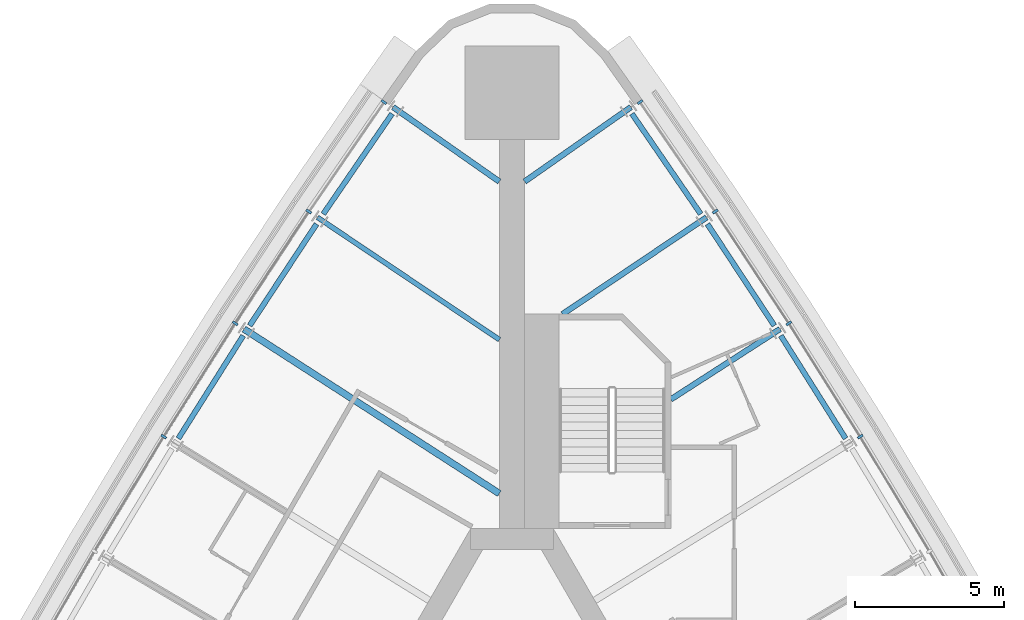
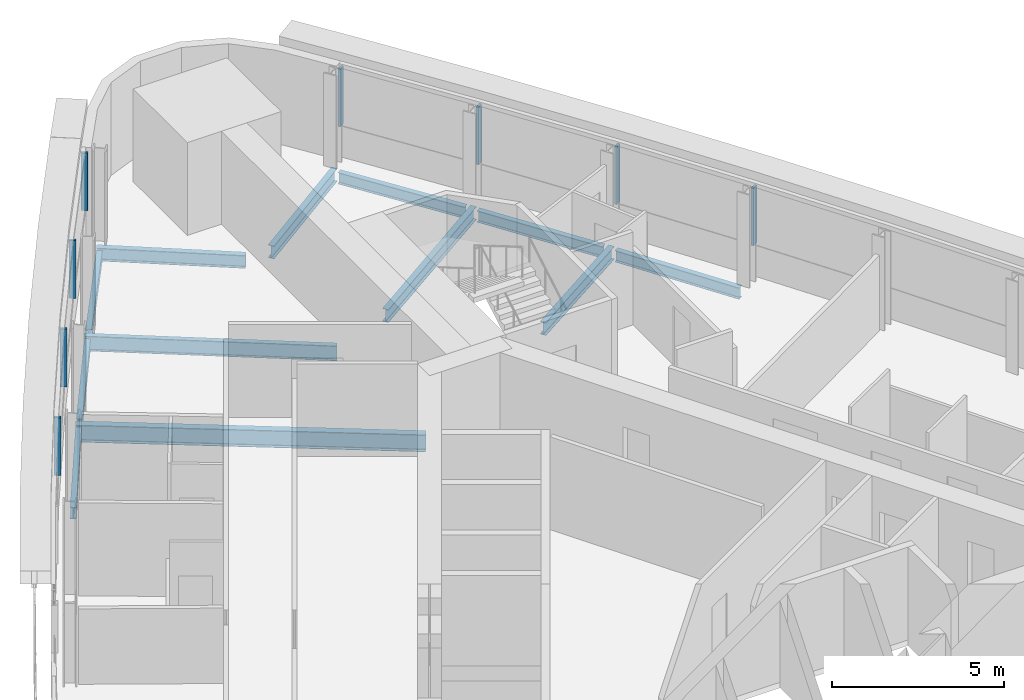
# One storey, part 6 of 13: 12 beams, 8 members, 2 elements without a shape of their own.
"""IFC4 building model written with IfcOpenShell, lengths in metres."""

from ifc_helpers import new_model, si_unit, direction, frame, origin, origin_2d, place, context, subcontext, project, spatial, rectangle, i_section, extrude, material, material_profile, profile_set, type_object, element, aggregate, save


model = new_model("IFC4")

# Units and contexts
model_context = context("Model", 3, precision=1e-05, world=origin(), true_north=direction((0.0, 1.0)))
body_context = subcontext(model_context, "Body", "Model", "MODEL_VIEW")
ifc_project = project(units=[si_unit("LENGTHUNIT", "METRE"), si_unit("AREAUNIT", "SQUARE_METRE"), si_unit("VOLUMEUNIT", "CUBIC_METRE"), si_unit("PLANEANGLEUNIT", "RADIAN"), si_unit("MASSUNIT", "GRAM", prefix="KILO")], contexts=[model_context])

# Site, building, storey
site_placement = place(None, origin())
site = spatial("IfcSite", under=ifc_project, at=site_placement, CompositionType="ELEMENT")
building_placement = place(site_placement, origin())
building = spatial("IfcBuilding", under=site, at=building_placement, Name="Noor Cloister Tower", CompositionType="ELEMENT")
storey_placement = place(building_placement, frame((0.0, 0.0, 83.39990234375)))
storey = spatial("IfcBuildingStorey", under=building, at=storey_placement, Name="L21", CompositionType="ELEMENT", Elevation=83.39990234375)

# Curtain wall, members
ifc_material_1 = material(Name="Aluminium 6063-T6 anodised", Category="aluminium")
curtain_wall_type = type_object("IfcCurtainWallType", Name="Ribbon curtain wall, lower tower CW1", PredefinedType="NOTDEFINED", material=ifc_material_1)
curtain_wall_1_placement = place(storey_placement, origin())
curtain_wall_1 = element("IfcCurtainWall", 1, at=curtain_wall_1_placement, inside=storey, type_object=curtain_wall_type, Name="CW1 L21 NW run 1", PredefinedType="NOTDEFINED")
ifc_material_2 = material(Name="Aluminium 6063-T6 anodised", Category="aluminium")
ifc_material_profile_1 = material_profile(ifc_material_2, rectangle(XDim=0.199951171875, YDim=0.080078125, at=origin_2d()), Name="200 x 80 mullion")
ifc_profile_set_1 = profile_set([ifc_material_profile_1], Name="Aluminium 6063-T6 anodised")
member_type = type_object("IfcMemberType", Name="Mullion CW1 80 x 200", PredefinedType="MULLION", material=ifc_profile_set_1)
member_1_placement = place(storey_placement, frame((-4.304443359375, 25.782958984375, 1.10009765625), z_axis=(0.0, 0.0, 1.0), x_axis=(0.82447711927, -0.565895290492, 0.0)))
member_1 = element("IfcMember", 2, at=member_1_placement, type_object=member_type, Name="CW1 mullion 1", PredefinedType="MULLION", context=body_context, shape_type="SweptSolid", body=[
    extrude(rectangle(XDim=0.199951171875, YDim=0.080078125, at=origin_2d()), origin(), (0.0, 0.0, 1.0), 2.050048828125),
])
member_2_placement = place(storey_placement, frame((-6.827880859375, 22.106689453125, 1.10009765625), z_axis=(0.0, 0.0, 1.0), x_axis=(0.829949745524, -0.557838166411, 0.0)))
member_2 = element("IfcMember", 3, at=member_2_placement, type_object=member_type, Name="CW1 mullion 2", PredefinedType="MULLION", context=body_context, shape_type="SweptSolid", body=[
    extrude(rectangle(XDim=0.199951171875, YDim=0.080078125, at=origin_2d()), origin(), (0.0, 0.0, 1.0), 2.050048828125),
])
member_3_placement = place(storey_placement, frame((-9.300537109375, 18.349365234375, 1.10009765625), z_axis=(0.0, 0.0, 1.0), x_axis=(0.840658272634, -0.541565941185, 0.0)))
member_3 = element("IfcMember", 4, at=member_3_placement, type_object=member_type, Name="CW1 mullion 3", PredefinedType="MULLION", context=body_context, shape_type="SweptSolid", body=[
    extrude(rectangle(XDim=0.199951171875, YDim=0.080078125, at=origin_2d()), origin(), (0.0, 0.0, 1.0), 2.050048828125),
])
member_4_placement = place(storey_placement, frame((-11.699462890625, 14.54443359375, 1.10009765625), z_axis=(0.0, 0.0, 1.0), x_axis=(0.851047805349, -0.525088214503, 0.0)))
member_4 = element("IfcMember", 5, at=member_4_placement, type_object=member_type, Name="CW1 mullion 4", PredefinedType="MULLION", context=body_context, shape_type="SweptSolid", body=[
    extrude(rectangle(XDim=0.199951171875, YDim=0.080078125, at=origin_2d()), origin(), (0.0, 0.0, 1.0), 2.050048828125),
])
aggregate(curtain_wall_1, [member_1, member_2, member_3, member_4])

curtain_wall_2_placement = place(storey_placement, origin())
curtain_wall_2 = element("IfcCurtainWall", 6, at=curtain_wall_2_placement, inside=storey, type_object=curtain_wall_type, Name="CW1 L21 NE run 3", PredefinedType="NOTDEFINED")
member_5_placement = place(storey_placement, frame((11.699462890625, 14.54443359375, 1.10009765625), z_axis=(0.0, 0.0, 1.0), x_axis=(-0.851047805349, -0.525088214503, 0.0)))
member_5 = element("IfcMember", 7, at=member_5_placement, type_object=member_type, Name="CW1 mullion 7", PredefinedType="MULLION", context=body_context, shape_type="SweptSolid", body=[
    extrude(rectangle(XDim=0.199951171875, YDim=0.080078125, at=origin_2d()), origin(), (0.0, 0.0, 1.0), 2.050048828125),
])
member_6_placement = place(storey_placement, frame((9.300537109375, 18.349365234375, 1.10009765625), z_axis=(0.0, 0.0, 1.0), x_axis=(-0.840658272634, -0.541565941185, 0.0)))
member_6 = element("IfcMember", 8, at=member_6_placement, type_object=member_type, Name="CW1 mullion 8", PredefinedType="MULLION", context=body_context, shape_type="SweptSolid", body=[
    extrude(rectangle(XDim=0.199951171875, YDim=0.080078125, at=origin_2d()), origin(), (0.0, 0.0, 1.0), 2.050048828125),
])
member_7_placement = place(storey_placement, frame((6.827880859375, 22.106689453125, 1.10009765625), z_axis=(0.0, 0.0, 1.0), x_axis=(-0.829949745524, -0.557838166411, 0.0)))
member_7 = element("IfcMember", 9, at=member_7_placement, type_object=member_type, Name="CW1 mullion 9", PredefinedType="MULLION", context=body_context, shape_type="SweptSolid", body=[
    extrude(rectangle(XDim=0.199951171875, YDim=0.080078125, at=origin_2d()), origin(), (0.0, 0.0, 1.0), 2.050048828125),
])
member_8_placement = place(storey_placement, frame((4.304443359375, 25.782958984375, 1.10009765625), z_axis=(0.0, 0.0, 1.0), x_axis=(-0.82447711927, -0.565895290492, 0.0)))
member_8 = element("IfcMember", 10, at=member_8_placement, type_object=member_type, Name="CW1 mullion 10", PredefinedType="MULLION", context=body_context, shape_type="SweptSolid", body=[
    extrude(rectangle(XDim=0.199951171875, YDim=0.080078125, at=origin_2d()), origin(), (0.0, 0.0, 1.0), 2.050048828125),
])
aggregate(curtain_wall_2, [member_5, member_6, member_7, member_8])

# Beams
ifc_material_3 = material(Name="Steel ASTM A992 Gr 50", Category="steel")
ifc_material_profile_2 = material_profile(ifc_material_3, i_section(OverallWidth=0.19091796875, OverallDepth=0.45703125, WebThickness=0.009033203125, FlangeThickness=0.014404296875, FilletRadius=0.01025390625, at=origin_2d()), Name="W460x74")
ifc_profile_set_2 = profile_set([ifc_material_profile_2], Name="Steel ASTM A992 Gr 50")
beam_type_1 = type_object("IfcBeamType", Name="Radial beam W460x74", PredefinedType="BEAM", material=ifc_profile_set_2)
beam_1_placement = place(storey_placement, frame((-3.993408203125, 25.612548828125, -0.428466796875), z_axis=(0.81892119613, -0.573905980566, 0.0), x_axis=(0.573905980566, 0.81892119613, 0.0)))
element("IfcBeam", 11, at=beam_1_placement, inside=storey, type_object=beam_type_1, Name="Radial beam NW 01 L21", PredefinedType="BEAM", context=body_context, shape_type="SweptSolid", body=[
    extrude(i_section(OverallWidth=0.19091796875, OverallDepth=0.45703125, WebThickness=0.009033203125, FlangeThickness=0.014404296875, FilletRadius=0.01025390625, at=origin_2d()), origin(), (0.0, 0.0, 1.0), 4.357421875),
])
beam_2_placement = place(storey_placement, frame((9.003662109375, 18.158203125, -0.428466796875), z_axis=(-0.840650856863, -0.541577452315, 0.0), x_axis=(0.541577452315, -0.840650856863, 0.0)))
element("IfcBeam", 12, at=beam_2_placement, inside=storey, type_object=beam_type_1, Name="Radial beam NE 08 L21", PredefinedType="BEAM", context=body_context, shape_type="SweptSolid", body=[
    extrude(i_section(OverallWidth=0.19091796875, OverallDepth=0.45703125, WebThickness=0.009033203125, FlangeThickness=0.014404296875, FilletRadius=0.01025390625, at=origin_2d()), origin(), (0.0, 0.0, 1.0), 4.36328125),
])
beam_3_placement = place(storey_placement, frame((6.534912109375, 21.90966796875, -0.428466796875), z_axis=(-0.829964203406, -0.557816655421, 0.0), x_axis=(0.557816655421, -0.829964203406, 0.0)))
element("IfcBeam", 13, at=beam_3_placement, inside=storey, type_object=beam_type_1, Name="Radial beam NE 09 L21", PredefinedType="BEAM", context=body_context, shape_type="SweptSolid", body=[
    extrude(i_section(OverallWidth=0.19091796875, OverallDepth=0.45703125, WebThickness=0.009033203125, FlangeThickness=0.014404296875, FilletRadius=0.01025390625, at=origin_2d()), origin(), (0.0, 0.0, 1.0), 5.83203125),
])
beam_4_placement = place(storey_placement, frame((3.993408203125, 25.612548828125, -0.428466796875), z_axis=(-0.81892119613, -0.573905980566, 0.0), x_axis=(0.573905980566, -0.81892119613, 0.0)))
element("IfcBeam", 14, at=beam_4_placement, inside=storey, type_object=beam_type_1, Name="Radial beam NE 10 L21", PredefinedType="BEAM", context=body_context, shape_type="SweptSolid", body=[
    extrude(i_section(OverallWidth=0.19091796875, OverallDepth=0.45703125, WebThickness=0.009033203125, FlangeThickness=0.014404296875, FilletRadius=0.01025390625, at=origin_2d()), origin(), (0.0, 0.0, 1.0), 4.357421875),
])
ifc_material_4 = material(Name="Steel ASTM A992 Gr 50", Category="steel")
ifc_material_profile_3 = material_profile(ifc_material_4, i_section(OverallWidth=0.166015625, OverallDepth=0.528076171875, WebThickness=0.009765625, FlangeThickness=0.013671875, FilletRadius=0.0126953125, at=origin_2d()), Name="W530x74")
ifc_profile_set_3 = profile_set([ifc_material_profile_3], Name="Steel ASTM A992 Gr 50")
beam_type_2 = type_object("IfcBeamType", Name="Radial beam W530x74", PredefinedType="BEAM", material=ifc_profile_set_3)
beam_5_placement = place(storey_placement, frame((-6.534912109375, 21.90966796875, -0.4638671875), z_axis=(0.829947401278, -0.557841654156, 0.0), x_axis=(0.557841654156, 0.829947401278, 0.0)))
element("IfcBeam", 15, at=beam_5_placement, inside=storey, type_object=beam_type_2, Name="Radial beam NW 02 L21", PredefinedType="BEAM", context=body_context, shape_type="SweptSolid", body=[
    extrude(i_section(OverallWidth=0.166015625, OverallDepth=0.528076171875, WebThickness=0.009765625, FlangeThickness=0.013671875, FilletRadius=0.0126953125, at=origin_2d()), origin(), (0.0, 0.0, 1.0), 7.36181640625),
])
ifc_material_5 = material(Name="Steel ASTM A992 Gr 50", Category="steel")
ifc_material_profile_4 = material_profile(ifc_material_5, i_section(OverallWidth=0.22802734375, OverallDepth=0.60205078125, WebThickness=0.010498046875, FlangeThickness=0.014892578125, FilletRadius=0.0126953125, at=origin_2d()), Name="W610x101")
ifc_profile_set_4 = profile_set([ifc_material_profile_4], Name="Steel ASTM A992 Gr 50")
beam_type_3 = type_object("IfcBeamType", Name="Radial beam W610x101", PredefinedType="BEAM", material=ifc_profile_set_4)
beam_6_placement = place(storey_placement, frame((-9.003662109375, 18.158203125, -0.5009765625), z_axis=(0.840652606977, -0.541574735732, 0.0), x_axis=(0.541574735732, 0.840652606977, 0.0)))
element("IfcBeam", 16, at=beam_6_placement, inside=storey, type_object=beam_type_3, Name="Radial beam NW 03 L21", PredefinedType="BEAM", context=body_context, shape_type="SweptSolid", body=[
    extrude(i_section(OverallWidth=0.22802734375, OverallDepth=0.60205078125, WebThickness=0.010498046875, FlangeThickness=0.014892578125, FilletRadius=0.0126953125, at=origin_2d()), origin(), (0.0, 0.0, 1.0), 10.20458984375),
])
ifc_material_6 = material(Name="Steel ASTM A992 Gr 50", Category="steel")
ifc_material_profile_5 = material_profile(ifc_material_6, i_section(OverallWidth=0.177978515625, OverallDepth=0.406005859375, WebThickness=0.0078125, FlangeThickness=0.0126953125, FilletRadius=0.01025390625, at=origin_2d()), Name="W410x60")
ifc_profile_set_5 = profile_set([ifc_material_profile_5], Name="Steel ASTM A992 Gr 50")
beam_type_4 = type_object("IfcBeamType", Name="Spandrel beam W410x60", PredefinedType="SPANDREL", material=ifc_profile_set_5)
for number, where, z_axis, x_axis, name in (
    (17, (-4.0283203125, 25.390380859375, -0.40283203125), (-0.565889496738, -0.824481095891, 0.0), (0.824481095891, -0.565889496738, 0.0), "Spandrel beam NW 01 L21"),
    (18, (-6.5654296875, 21.686767578125, -0.40283203125), (-0.549697723063, -0.835363641332, 0.0), (0.835363641332, -0.549697723063, 0.0), "Spandrel beam NW 02 L21"),
):
    element("IfcBeam", number, at=place(storey_placement, frame(where, z_axis=z_axis, x_axis=x_axis)), inside=storey, type_object=beam_type_4, Name=name, PredefinedType="SPANDREL", context=body_context, shape_type="SweptSolid", body=[
        extrude(i_section(OverallWidth=0.177978515625, OverallDepth=0.406005859375, WebThickness=0.0078125, FlangeThickness=0.0126953125, FilletRadius=0.01025390625, at=origin_2d()), origin(), (0.0, 0.0, 1.0), 4.085205078125),
    ])
for number, where, z_axis, x_axis, name in (
    (19, (-9.030029296875, 17.9345703125, -0.40283203125), (-0.533336251935, -0.845903329212, 0.0), (0.845903329212, -0.533336251935, 0.0), "Spandrel beam NW 03 L21"),
    (20, (11.208740234375, 14.47900390625, -0.40283203125), (-0.533336251935, 0.845903329212, 0.0), (-0.845903329212, -0.533336251935, 0.0), "Spandrel beam NE 07 L21"),
):
    element("IfcBeam", number, at=place(storey_placement, frame(where, z_axis=z_axis, x_axis=x_axis)), inside=storey, type_object=beam_type_4, Name=name, PredefinedType="SPANDREL", context=body_context, shape_type="SweptSolid", body=[
        extrude(i_section(OverallWidth=0.177978515625, OverallDepth=0.406005859375, WebThickness=0.0078125, FlangeThickness=0.0126953125, FilletRadius=0.01025390625, at=origin_2d()), origin(), (0.0, 0.0, 1.0), 4.0849609375),
    ])
for number, where, z_axis, x_axis, name in (
    (21, (8.81103515625, 18.274169921875, -0.40283203125), (-0.549697723063, 0.835363641332, 0.0), (-0.835363641332, -0.549697723063, 0.0), "Spandrel beam NE 08 L21"),
    (22, (6.340087890625, 22.022216796875, -0.40283203125), (-0.565889496738, 0.824481095891, 0.0), (-0.824481095891, -0.565889496738, 0.0), "Spandrel beam NE 09 L21"),
):
    element("IfcBeam", number, at=place(storey_placement, frame(where, z_axis=z_axis, x_axis=x_axis)), inside=storey, type_object=beam_type_4, Name=name, PredefinedType="SPANDREL", context=body_context, shape_type="SweptSolid", body=[
        extrude(i_section(OverallWidth=0.177978515625, OverallDepth=0.406005859375, WebThickness=0.0078125, FlangeThickness=0.0126953125, FilletRadius=0.01025390625, at=origin_2d()), origin(), (0.0, 0.0, 1.0), 4.085205078125),
    ])

save(model, "model.ifc")
